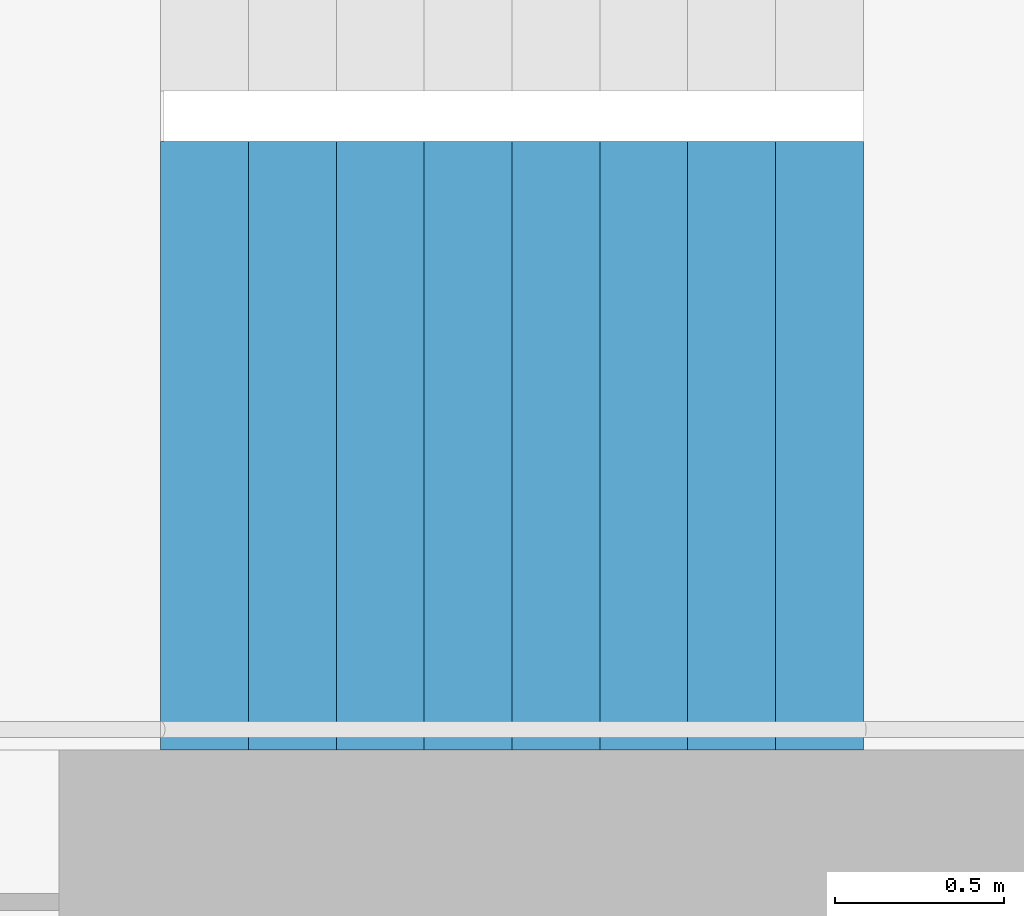
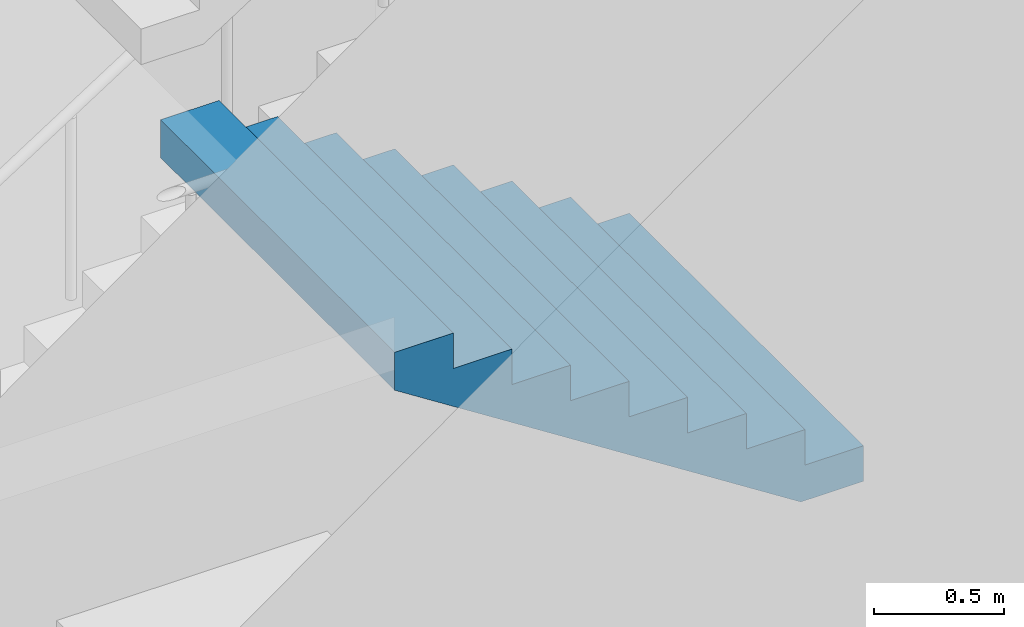
# One storey, part 26 of 35: 1 stair flight, 1 element without a shape of its own.
"""IFC4 building model written with IfcOpenShell, lengths in metres."""

from ifc_helpers import new_model, si_unit, direction, frame, origin, place, context, subcontext, project, spatial, triangles, material, type_object, element, aggregate, save


model = new_model("IFC4")

# Units and contexts
model_context = context("Model", 3, precision=1e-05, world=origin(), true_north=direction((0.0, 1.0)))
body_context = subcontext(model_context, "Body", "Model", "MODEL_VIEW")
ifc_project = project(units=[si_unit("LENGTHUNIT", "METRE"), si_unit("AREAUNIT", "SQUARE_METRE"), si_unit("VOLUMEUNIT", "CUBIC_METRE"), si_unit("PLANEANGLEUNIT", "RADIAN"), si_unit("MASSUNIT", "GRAM", prefix="KILO")], contexts=[model_context])

# Site, building, storey
site_placement = place(None, origin())
site = spatial("IfcSite", under=ifc_project, at=site_placement, CompositionType="ELEMENT")
building_placement = place(site_placement, origin())
building = spatial("IfcBuilding", under=site, at=building_placement, Name="Hakoniwa Tower and Hamabe Station Hall", CompositionType="ELEMENT")
storey_placement = place(building_placement, frame((0.0, 0.0, 264.60009765625)))
storey = spatial("IfcBuildingStorey", under=building, at=storey_placement, Name="L75", CompositionType="ELEMENT", Elevation=264.60009765625)

# Stair, stair flight
ifc_material_1 = material(Name="Concrete C40", Category="concrete")
stair_type = type_object("IfcStairType", Name="ESCAPE STAIR 1800", PredefinedType="HALF_TURN_STAIR", material=ifc_material_1)
stair_placement = place(storey_placement, origin())
stair = element("IfcStair", 1, at=stair_placement, inside=storey, type_object=stair_type, Name="Escape stair ST-4 L75", PredefinedType="HALF_TURN_STAIR")
ifc_material_2 = material(Name="Concrete C40", Category="concrete")
stair_flight_type = type_object("IfcStairFlightType", Name="STAIR FLIGHT 1800", PredefinedType="STRAIGHT", material=ifc_material_2)
stair_flight_placement = place(storey_placement, frame((25.47998046875, -6.60009765625, 1.5), z_axis=(0.0, 0.0, 1.0), x_axis=(-1.0, 0.0, 0.0)))
stair_flight = element("IfcStairFlight", 2, at=stair_flight_placement, type_object=stair_flight_type, Name="ST-4 flight 2", NumberOfRisers=9, NumberOfTreads=8, PredefinedType="STRAIGHT", RiserHeight=0.166666667, TreadLength=0.26, context=body_context, shape_type="Tessellation", body=[
    triangles([(0.0, 0.89990234375, 0.0), (0.260009765625, 0.89990234375, 0.0), (0.27783203125, 0.89990234375, 0.0), (0.52001953125, 0.89990234375, 0.1552734375), (0.780029296875, 0.89990234375, 0.322021484375), (1.0400390625, 0.89990234375, 0.488525390625), (1.300048828125, 0.89990234375, 0.6552734375), (1.56005859375, 0.89990234375, 0.822021484375), (1.820068359375, 0.89990234375, 0.988525390625), (2.080078125, 0.89990234375, 1.1552734375), (2.080078125, 0.89990234375, 1.333251953125), (1.820068359375, 0.89990234375, 1.333251953125), (1.820068359375, 0.89990234375, 1.166748046875), (1.56005859375, 0.89990234375, 1.166748046875), (1.56005859375, 0.89990234375, 1.0), (1.300048828125, 0.89990234375, 1.0), (1.300048828125, 0.89990234375, 0.833251953125), (1.0400390625, 0.89990234375, 0.833251953125), (1.0400390625, 0.89990234375, 0.666748046875), (0.780029296875, 0.89990234375, 0.666748046875), (0.780029296875, 0.89990234375, 0.5), (0.52001953125, 0.89990234375, 0.5), (0.52001953125, 0.89990234375, 0.333251953125), (0.27783203125, 0.89990234375, 0.333251953125), (0.260009765625, 0.89990234375, 0.333251953125), (0.260009765625, 0.89990234375, 0.166748046875), (0.0, 0.89990234375, 0.166748046875), (0.0, 0.06005859375, 0.0), (0.260009765625, 0.06005859375, 0.0), (0.27783203125, 0.06005859375, 0.0), (0.52001953125, 0.06005859375, 0.1552734375), (0.780029296875, 0.06005859375, 0.322021484375), (1.0400390625, 0.06005859375, 0.488525390625), (1.300048828125, 0.06005859375, 0.6552734375), (1.56005859375, 0.06005859375, 0.822021484375), (1.820068359375, 0.06005859375, 0.988525390625), (2.080078125, 0.06005859375, 1.1552734375), (2.080078125, 0.06005859375, 1.333251953125), (1.820068359375, 0.06005859375, 1.333251953125), (1.820068359375, 0.06005859375, 1.166748046875), (1.56005859375, 0.06005859375, 1.166748046875), (1.56005859375, 0.06005859375, 1.0), (1.300048828125, 0.06005859375, 1.0), (1.300048828125, 0.06005859375, 0.833251953125), (1.0400390625, 0.06005859375, 0.833251953125), (1.0400390625, 0.06005859375, 0.666748046875), (0.780029296875, 0.06005859375, 0.666748046875), (0.780029296875, 0.06005859375, 0.5), (0.52001953125, 0.06005859375, 0.5), (0.52001953125, 0.06005859375, 0.333251953125), (0.27783203125, 0.06005859375, 0.333251953125), (0.260009765625, 0.06005859375, 0.333251953125), (0.260009765625, 0.06005859375, 0.166748046875), (0.0, 0.06005859375, 0.166748046875), (0.0, 0.04296875, 0.0), (0.260009765625, 0.04296875, 0.0), (0.27783203125, 0.04296875, 0.0), (0.52001953125, 0.04296875, 0.1552734375), (0.780029296875, 0.04296875, 0.322021484375), (1.0400390625, 0.04296875, 0.488525390625), (1.300048828125, 0.04296875, 0.6552734375), (1.56005859375, 0.04296875, 0.822021484375), (1.820068359375, 0.04296875, 0.988525390625), (2.080078125, 0.04296875, 1.1552734375), (2.080078125, 0.04296875, 1.333251953125), (1.820068359375, 0.04296875, 1.333251953125), (1.820068359375, 0.04296875, 1.166748046875), (1.56005859375, 0.04296875, 1.166748046875), (1.56005859375, 0.04296875, 1.0), (1.300048828125, 0.04296875, 1.0), (1.300048828125, 0.04296875, 0.833251953125), (1.0400390625, 0.04296875, 0.833251953125), (1.0400390625, 0.04296875, 0.666748046875), (0.780029296875, 0.04296875, 0.666748046875), (0.780029296875, 0.04296875, 0.5), (0.52001953125, 0.04296875, 0.5), (0.52001953125, 0.04296875, 0.333251953125), (0.27783203125, 0.04296875, 0.333251953125), (0.260009765625, 0.04296875, 0.333251953125), (0.260009765625, 0.04296875, 0.166748046875), (0.0, 0.04296875, 0.166748046875), (0.0, 0.025634765625, 0.0), (0.260009765625, 0.025634765625, 0.0), (0.27783203125, 0.025634765625, 0.0), (0.52001953125, 0.025634765625, 0.1552734375), (0.780029296875, 0.025634765625, 0.322021484375), (1.0400390625, 0.025634765625, 0.488525390625), (1.300048828125, 0.025634765625, 0.6552734375), (1.56005859375, 0.025634765625, 0.822021484375), (1.820068359375, 0.025634765625, 0.988525390625), (2.080078125, 0.025634765625, 1.1552734375), (2.080078125, 0.025634765625, 1.333251953125), (1.820068359375, 0.025634765625, 1.333251953125), (1.820068359375, 0.025634765625, 1.166748046875), (1.56005859375, 0.025634765625, 1.166748046875), (1.56005859375, 0.025634765625, 1.0), (1.300048828125, 0.025634765625, 1.0), (1.300048828125, 0.025634765625, 0.833251953125), (1.0400390625, 0.025634765625, 0.833251953125), (1.0400390625, 0.025634765625, 0.666748046875), (0.780029296875, 0.025634765625, 0.666748046875), (0.780029296875, 0.025634765625, 0.5), (0.52001953125, 0.025634765625, 0.5), (0.52001953125, 0.025634765625, 0.333251953125), (0.27783203125, 0.025634765625, 0.333251953125), (0.260009765625, 0.025634765625, 0.333251953125), (0.260009765625, 0.025634765625, 0.166748046875), (0.0, 0.025634765625, 0.166748046875), (0.0, 0.008544921875, 0.0), (0.260009765625, 0.008544921875, 0.0), (0.27783203125, 0.008544921875, 0.0), (0.52001953125, 0.008544921875, 0.1552734375), (0.780029296875, 0.008544921875, 0.322021484375), (1.0400390625, 0.008544921875, 0.488525390625), (1.300048828125, 0.008544921875, 0.6552734375), (1.56005859375, 0.008544921875, 0.822021484375), (1.820068359375, 0.008544921875, 0.988525390625), (2.080078125, 0.008544921875, 1.1552734375), (2.080078125, 0.008544921875, 1.333251953125), (1.820068359375, 0.008544921875, 1.333251953125), (1.820068359375, 0.008544921875, 1.166748046875), (1.56005859375, 0.008544921875, 1.166748046875), (1.56005859375, 0.008544921875, 1.0), (1.300048828125, 0.008544921875, 1.0), (1.300048828125, 0.008544921875, 0.833251953125), (1.0400390625, 0.008544921875, 0.833251953125), (1.0400390625, 0.008544921875, 0.666748046875), (0.780029296875, 0.008544921875, 0.666748046875), (0.780029296875, 0.008544921875, 0.5), (0.52001953125, 0.008544921875, 0.5), (0.52001953125, 0.008544921875, 0.333251953125), (0.27783203125, 0.008544921875, 0.333251953125), (0.260009765625, 0.008544921875, 0.333251953125), (0.260009765625, 0.008544921875, 0.166748046875), (0.0, 0.008544921875, 0.166748046875), (0.0, -0.008544921875, 0.0), (0.260009765625, -0.008544921875, 0.0), (0.27783203125, -0.008544921875, 0.0), (0.52001953125, -0.008544921875, 0.1552734375), (0.780029296875, -0.008544921875, 0.322021484375), (1.0400390625, -0.008544921875, 0.488525390625), (1.300048828125, -0.008544921875, 0.6552734375), (1.56005859375, -0.008544921875, 0.822021484375), (1.820068359375, -0.008544921875, 0.988525390625), (2.080078125, -0.008544921875, 1.1552734375), (2.080078125, -0.008544921875, 1.333251953125), (1.820068359375, -0.008544921875, 1.333251953125), (1.820068359375, -0.008544921875, 1.166748046875), (1.56005859375, -0.008544921875, 1.166748046875), (1.56005859375, -0.008544921875, 1.0), (1.300048828125, -0.008544921875, 1.0), (1.300048828125, -0.008544921875, 0.833251953125), (1.0400390625, -0.008544921875, 0.833251953125), (1.0400390625, -0.008544921875, 0.666748046875), (0.780029296875, -0.008544921875, 0.666748046875), (0.780029296875, -0.008544921875, 0.5), (0.52001953125, -0.008544921875, 0.5), (0.52001953125, -0.008544921875, 0.333251953125), (0.27783203125, -0.008544921875, 0.333251953125), (0.260009765625, -0.008544921875, 0.333251953125), (0.260009765625, -0.008544921875, 0.166748046875), (0.0, -0.008544921875, 0.166748046875), (0.0, -0.025634765625, 0.0), (0.260009765625, -0.025634765625, 0.0), (0.27783203125, -0.025634765625, 0.0), (0.52001953125, -0.025634765625, 0.1552734375), (0.780029296875, -0.025634765625, 0.322021484375), (1.0400390625, -0.025634765625, 0.488525390625), (1.300048828125, -0.025634765625, 0.6552734375), (1.56005859375, -0.025634765625, 0.822021484375), (1.820068359375, -0.025634765625, 0.988525390625), (2.080078125, -0.025634765625, 1.1552734375), (2.080078125, -0.025634765625, 1.333251953125), (1.820068359375, -0.025634765625, 1.333251953125), (1.820068359375, -0.025634765625, 1.166748046875), (1.56005859375, -0.025634765625, 1.166748046875), (1.56005859375, -0.025634765625, 1.0), (1.300048828125, -0.025634765625, 1.0), (1.300048828125, -0.025634765625, 0.833251953125), (1.0400390625, -0.025634765625, 0.833251953125), (1.0400390625, -0.025634765625, 0.666748046875), (0.780029296875, -0.025634765625, 0.666748046875), (0.780029296875, -0.025634765625, 0.5), (0.52001953125, -0.025634765625, 0.5), (0.52001953125, -0.025634765625, 0.333251953125), (0.27783203125, -0.025634765625, 0.333251953125), (0.260009765625, -0.025634765625, 0.333251953125), (0.260009765625, -0.025634765625, 0.166748046875), (0.0, -0.025634765625, 0.166748046875), (0.0, -0.04296875, 0.0), (0.260009765625, -0.04296875, 0.0), (0.27783203125, -0.04296875, 0.0), (0.52001953125, -0.04296875, 0.1552734375), (0.780029296875, -0.04296875, 0.322021484375), (1.0400390625, -0.04296875, 0.488525390625), (1.300048828125, -0.04296875, 0.6552734375), (1.56005859375, -0.04296875, 0.822021484375), (1.820068359375, -0.04296875, 0.988525390625), (2.080078125, -0.04296875, 1.1552734375), (2.080078125, -0.04296875, 1.333251953125), (1.820068359375, -0.04296875, 1.333251953125), (1.820068359375, -0.04296875, 1.166748046875), (1.56005859375, -0.04296875, 1.166748046875), (1.56005859375, -0.04296875, 1.0), (1.300048828125, -0.04296875, 1.0), (1.300048828125, -0.04296875, 0.833251953125), (1.0400390625, -0.04296875, 0.833251953125), (1.0400390625, -0.04296875, 0.666748046875), (0.780029296875, -0.04296875, 0.666748046875), (0.780029296875, -0.04296875, 0.5), (0.52001953125, -0.04296875, 0.5), (0.52001953125, -0.04296875, 0.333251953125), (0.27783203125, -0.04296875, 0.333251953125), (0.260009765625, -0.04296875, 0.333251953125), (0.260009765625, -0.04296875, 0.166748046875), (0.0, -0.04296875, 0.166748046875), (0.0, -0.06005859375, 0.0), (0.260009765625, -0.06005859375, 0.0), (0.27783203125, -0.06005859375, 0.0), (0.52001953125, -0.06005859375, 0.1552734375), (0.780029296875, -0.06005859375, 0.322021484375), (1.0400390625, -0.06005859375, 0.488525390625), (1.300048828125, -0.06005859375, 0.6552734375), (1.56005859375, -0.06005859375, 0.822021484375), (1.820068359375, -0.06005859375, 0.988525390625), (2.080078125, -0.06005859375, 1.1552734375), (2.080078125, -0.06005859375, 1.333251953125), (1.820068359375, -0.06005859375, 1.333251953125), (1.820068359375, -0.06005859375, 1.166748046875), (1.56005859375, -0.06005859375, 1.166748046875), (1.56005859375, -0.06005859375, 1.0), (1.300048828125, -0.06005859375, 1.0), (1.300048828125, -0.06005859375, 0.833251953125), (1.0400390625, -0.06005859375, 0.833251953125), (1.0400390625, -0.06005859375, 0.666748046875), (0.780029296875, -0.06005859375, 0.666748046875), (0.780029296875, -0.06005859375, 0.5), (0.52001953125, -0.06005859375, 0.5), (0.52001953125, -0.06005859375, 0.333251953125), (0.27783203125, -0.06005859375, 0.333251953125), (0.260009765625, -0.06005859375, 0.333251953125), (0.260009765625, -0.06005859375, 0.166748046875), (0.0, -0.06005859375, 0.166748046875), (0.0, -0.89990234375, 0.0), (0.260009765625, -0.89990234375, 0.0), (0.27783203125, -0.89990234375, 0.0), (0.52001953125, -0.89990234375, 0.1552734375), (0.780029296875, -0.89990234375, 0.322021484375), (1.0400390625, -0.89990234375, 0.488525390625), (1.300048828125, -0.89990234375, 0.6552734375), (1.56005859375, -0.89990234375, 0.822021484375), (1.820068359375, -0.89990234375, 0.988525390625), (2.080078125, -0.89990234375, 1.1552734375), (2.080078125, -0.89990234375, 1.333251953125), (1.820068359375, -0.89990234375, 1.333251953125), (1.820068359375, -0.89990234375, 1.166748046875), (1.56005859375, -0.89990234375, 1.166748046875), (1.56005859375, -0.89990234375, 1.0), (1.300048828125, -0.89990234375, 1.0), (1.300048828125, -0.89990234375, 0.833251953125), (1.0400390625, -0.89990234375, 0.833251953125), (1.0400390625, -0.89990234375, 0.666748046875), (0.780029296875, -0.89990234375, 0.666748046875), (0.780029296875, -0.89990234375, 0.5), (0.52001953125, -0.89990234375, 0.5), (0.52001953125, -0.89990234375, 0.333251953125), (0.27783203125, -0.89990234375, 0.333251953125), (0.260009765625, -0.89990234375, 0.333251953125), (0.260009765625, -0.89990234375, 0.166748046875), (0.0, -0.89990234375, 0.166748046875)], [[2, 27, 26], [245, 269, 270], [2, 1, 27], [245, 270, 244], [3, 25, 24], [246, 267, 268], [3, 26, 25], [246, 268, 269], [3, 2, 26], [246, 269, 245], [4, 24, 23], [247, 266, 267], [4, 3, 24], [247, 267, 246], [5, 22, 21], [248, 264, 265], [5, 23, 22], [248, 265, 266], [5, 4, 23], [248, 266, 247], [6, 20, 19], [249, 262, 263], [6, 21, 20], [249, 263, 264], [6, 5, 21], [249, 264, 248], [7, 18, 17], [250, 260, 261], [7, 19, 18], [250, 261, 262], [7, 6, 19], [250, 262, 249], [8, 16, 15], [251, 258, 259], [8, 17, 16], [251, 259, 260], [8, 7, 17], [251, 260, 250], [9, 14, 13], [252, 256, 257], [9, 15, 14], [252, 257, 258], [9, 8, 15], [252, 258, 251], [10, 12, 11], [253, 254, 255], [10, 13, 12], [253, 255, 256], [10, 9, 13], [253, 256, 252], [1, 2, 29], [1, 29, 28], [28, 29, 56], [28, 56, 55], [55, 56, 83], [55, 83, 82], [82, 83, 110], [82, 110, 109], [109, 110, 137], [109, 137, 136], [136, 137, 164], [136, 164, 163], [163, 164, 191], [163, 191, 190], [190, 191, 218], [190, 218, 217], [217, 218, 245], [217, 245, 244], [2, 3, 30], [2, 30, 29], [29, 30, 57], [29, 57, 56], [56, 57, 84], [56, 84, 83], [83, 84, 111], [83, 111, 110], [110, 111, 138], [110, 138, 137], [137, 138, 165], [137, 165, 164], [164, 165, 192], [164, 192, 191], [191, 192, 219], [191, 219, 218], [218, 219, 246], [218, 246, 245], [3, 4, 31], [3, 31, 30], [30, 31, 58], [30, 58, 57], [57, 58, 85], [57, 85, 84], [84, 85, 112], [84, 112, 111], [111, 112, 139], [111, 139, 138], [138, 139, 166], [138, 166, 165], [165, 166, 193], [165, 193, 192], [192, 193, 220], [192, 220, 219], [219, 220, 247], [219, 247, 246], [4, 5, 32], [4, 32, 31], [31, 32, 59], [31, 59, 58], [58, 59, 86], [58, 86, 85], [85, 86, 113], [85, 113, 112], [112, 113, 140], [112, 140, 139], [139, 140, 167], [139, 167, 166], [166, 167, 194], [166, 194, 193], [193, 194, 221], [193, 221, 220], [220, 221, 248], [220, 248, 247], [5, 6, 33], [5, 33, 32], [32, 33, 60], [32, 60, 59], [59, 60, 87], [59, 87, 86], [86, 87, 114], [86, 114, 113], [113, 114, 141], [113, 141, 140], [140, 141, 168], [140, 168, 167], [167, 168, 195], [167, 195, 194], [194, 195, 222], [194, 222, 221], [221, 222, 249], [221, 249, 248], [6, 7, 34], [6, 34, 33], [33, 34, 61], [33, 61, 60], [60, 61, 88], [60, 88, 87], [87, 88, 115], [87, 115, 114], [114, 115, 142], [114, 142, 141], [141, 142, 169], [141, 169, 168], [168, 169, 196], [168, 196, 195], [195, 196, 223], [195, 223, 222], [222, 223, 250], [222, 250, 249], [7, 8, 35], [7, 35, 34], [34, 35, 62], [34, 62, 61], [61, 62, 89], [61, 89, 88], [88, 89, 116], [88, 116, 115], [115, 116, 143], [115, 143, 142], [142, 143, 170], [142, 170, 169], [169, 170, 197], [169, 197, 196], [196, 197, 224], [196, 224, 223], [223, 224, 251], [223, 251, 250], [8, 9, 36], [8, 36, 35], [35, 36, 63], [35, 63, 62], [62, 63, 90], [62, 90, 89], [89, 90, 117], [89, 117, 116], [116, 117, 144], [116, 144, 143], [143, 144, 171], [143, 171, 170], [170, 171, 198], [170, 198, 197], [197, 198, 225], [197, 225, 224], [224, 225, 252], [224, 252, 251], [9, 10, 37], [9, 37, 36], [36, 37, 64], [36, 64, 63], [63, 64, 91], [63, 91, 90], [90, 91, 118], [90, 118, 117], [117, 118, 145], [117, 145, 144], [144, 145, 172], [144, 172, 171], [171, 172, 199], [171, 199, 198], [198, 199, 226], [198, 226, 225], [225, 226, 253], [225, 253, 252], [10, 11, 38], [10, 38, 37], [37, 38, 65], [37, 65, 64], [64, 65, 92], [64, 92, 91], [91, 92, 119], [91, 119, 118], [118, 119, 146], [118, 146, 145], [145, 146, 173], [145, 173, 172], [172, 173, 200], [172, 200, 199], [199, 200, 227], [199, 227, 226], [226, 227, 254], [226, 254, 253], [11, 12, 39], [11, 39, 38], [38, 39, 66], [38, 66, 65], [65, 66, 93], [65, 93, 92], [92, 93, 120], [92, 120, 119], [119, 120, 147], [119, 147, 146], [146, 147, 174], [146, 174, 173], [173, 174, 201], [173, 201, 200], [200, 201, 228], [200, 228, 227], [227, 228, 255], [227, 255, 254], [12, 13, 40], [12, 40, 39], [39, 40, 67], [39, 67, 66], [66, 67, 94], [66, 94, 93], [93, 94, 121], [93, 121, 120], [120, 121, 148], [120, 148, 147], [147, 148, 175], [147, 175, 174], [174, 175, 202], [174, 202, 201], [201, 202, 229], [201, 229, 228], [228, 229, 256], [228, 256, 255], [13, 14, 41], [13, 41, 40], [40, 41, 68], [40, 68, 67], [67, 68, 95], [67, 95, 94], [94, 95, 122], [94, 122, 121], [121, 122, 149], [121, 149, 148], [148, 149, 176], [148, 176, 175], [175, 176, 203], [175, 203, 202], [202, 203, 230], [202, 230, 229], [229, 230, 257], [229, 257, 256], [14, 15, 42], [14, 42, 41], [41, 42, 69], [41, 69, 68], [68, 69, 96], [68, 96, 95], [95, 96, 123], [95, 123, 122], [122, 123, 150], [122, 150, 149], [149, 150, 177], [149, 177, 176], [176, 177, 204], [176, 204, 203], [203, 204, 231], [203, 231, 230], [230, 231, 258], [230, 258, 257], [15, 16, 43], [15, 43, 42], [42, 43, 70], [42, 70, 69], [69, 70, 97], [69, 97, 96], [96, 97, 124], [96, 124, 123], [123, 124, 151], [123, 151, 150], [150, 151, 178], [150, 178, 177], [177, 178, 205], [177, 205, 204], [204, 205, 232], [204, 232, 231], [231, 232, 259], [231, 259, 258], [16, 17, 44], [16, 44, 43], [43, 44, 71], [43, 71, 70], [70, 71, 98], [70, 98, 97], [97, 98, 125], [97, 125, 124], [124, 125, 152], [124, 152, 151], [151, 152, 179], [151, 179, 178], [178, 179, 206], [178, 206, 205], [205, 206, 233], [205, 233, 232], [232, 233, 260], [232, 260, 259], [17, 18, 45], [17, 45, 44], [44, 45, 72], [44, 72, 71], [71, 72, 99], [71, 99, 98], [98, 99, 126], [98, 126, 125], [125, 126, 153], [125, 153, 152], [152, 153, 180], [152, 180, 179], [179, 180, 207], [179, 207, 206], [206, 207, 234], [206, 234, 233], [233, 234, 261], [233, 261, 260], [18, 19, 46], [18, 46, 45], [45, 46, 73], [45, 73, 72], [72, 73, 100], [72, 100, 99], [99, 100, 127], [99, 127, 126], [126, 127, 154], [126, 154, 153], [153, 154, 181], [153, 181, 180], [180, 181, 208], [180, 208, 207], [207, 208, 235], [207, 235, 234], [234, 235, 262], [234, 262, 261], [19, 20, 47], [19, 47, 46], [46, 47, 74], [46, 74, 73], [73, 74, 101], [73, 101, 100], [100, 101, 128], [100, 128, 127], [127, 128, 155], [127, 155, 154], [154, 155, 182], [154, 182, 181], [181, 182, 209], [181, 209, 208], [208, 209, 236], [208, 236, 235], [235, 236, 263], [235, 263, 262], [20, 21, 48], [20, 48, 47], [47, 48, 75], [47, 75, 74], [74, 75, 102], [74, 102, 101], [101, 102, 129], [101, 129, 128], [128, 129, 156], [128, 156, 155], [155, 156, 183], [155, 183, 182], [182, 183, 210], [182, 210, 209], [209, 210, 237], [209, 237, 236], [236, 237, 264], [236, 264, 263], [21, 22, 49], [21, 49, 48], [48, 49, 76], [48, 76, 75], [75, 76, 103], [75, 103, 102], [102, 103, 130], [102, 130, 129], [129, 130, 157], [129, 157, 156], [156, 157, 184], [156, 184, 183], [183, 184, 211], [183, 211, 210], [210, 211, 238], [210, 238, 237], [237, 238, 265], [237, 265, 264], [22, 23, 50], [22, 50, 49], [49, 50, 77], [49, 77, 76], [76, 77, 104], [76, 104, 103], [103, 104, 131], [103, 131, 130], [130, 131, 158], [130, 158, 157], [157, 158, 185], [157, 185, 184], [184, 185, 212], [184, 212, 211], [211, 212, 239], [211, 239, 238], [238, 239, 266], [238, 266, 265], [23, 24, 51], [23, 51, 50], [50, 51, 78], [50, 78, 77], [77, 78, 105], [77, 105, 104], [104, 105, 132], [104, 132, 131], [131, 132, 159], [131, 159, 158], [158, 159, 186], [158, 186, 185], [185, 186, 213], [185, 213, 212], [212, 213, 240], [212, 240, 239], [239, 240, 267], [239, 267, 266], [24, 25, 52], [24, 52, 51], [51, 52, 79], [51, 79, 78], [78, 79, 106], [78, 106, 105], [105, 106, 133], [105, 133, 132], [132, 133, 160], [132, 160, 159], [159, 160, 187], [159, 187, 186], [186, 187, 214], [186, 214, 213], [213, 214, 241], [213, 241, 240], [240, 241, 268], [240, 268, 267], [25, 26, 53], [25, 53, 52], [52, 53, 80], [52, 80, 79], [79, 80, 107], [79, 107, 106], [106, 107, 134], [106, 134, 133], [133, 134, 161], [133, 161, 160], [160, 161, 188], [160, 188, 187], [187, 188, 215], [187, 215, 214], [214, 215, 242], [214, 242, 241], [241, 242, 269], [241, 269, 268], [26, 27, 54], [26, 54, 53], [53, 54, 81], [53, 81, 80], [80, 81, 108], [80, 108, 107], [107, 108, 135], [107, 135, 134], [134, 135, 162], [134, 162, 161], [161, 162, 189], [161, 189, 188], [188, 189, 216], [188, 216, 215], [215, 216, 243], [215, 243, 242], [242, 243, 270], [242, 270, 269], [27, 1, 28], [27, 28, 54], [54, 28, 55], [54, 55, 81], [81, 55, 82], [81, 82, 108], [108, 82, 109], [108, 109, 135], [135, 109, 136], [135, 136, 162], [162, 136, 163], [162, 163, 189], [189, 163, 190], [189, 190, 216], [216, 190, 217], [216, 217, 243], [243, 217, 244], [243, 244, 270]], closed=True),
])
aggregate(stair, [stair_flight])

save(model, "model.ifc")
